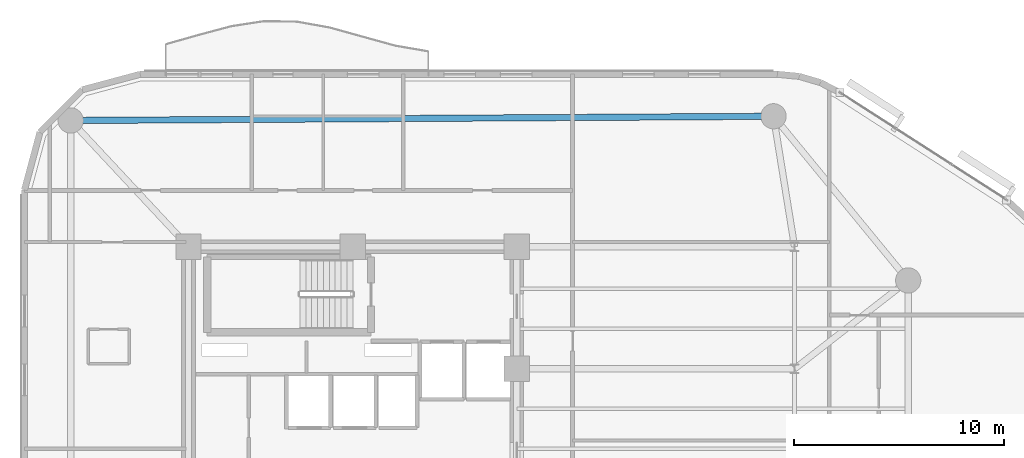
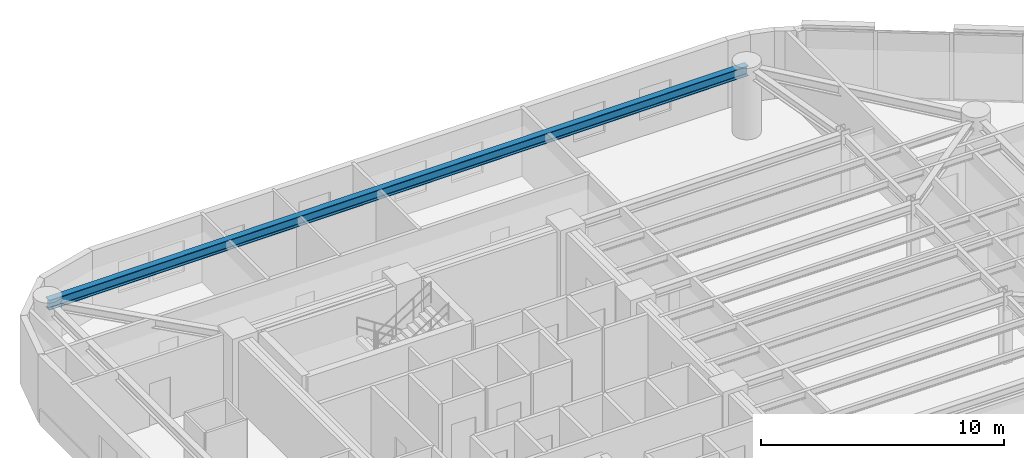
# One storey, part 7 of 15: 1 beam.
"""IFC4 building model written with IfcOpenShell, lengths in metres."""

from ifc_helpers import new_model, si_unit, direction, frame, origin, origin_2d, place, context, subcontext, project, spatial, i_section, extrude, material, material_profile, profile_set, type_object, element, save


model = new_model("IFC4")

# Units and contexts
model_context = context("Model", 3, precision=1e-05, world=origin(), true_north=direction((0.0, 1.0)))
body_context = subcontext(model_context, "Body", "Model", "MODEL_VIEW")
ifc_project = project(units=[si_unit("LENGTHUNIT", "METRE"), si_unit("AREAUNIT", "SQUARE_METRE"), si_unit("VOLUMEUNIT", "CUBIC_METRE"), si_unit("PLANEANGLEUNIT", "RADIAN"), si_unit("MASSUNIT", "GRAM", prefix="KILO")], contexts=[model_context])

# Site, building, storey
site_placement = place(None, origin())
site = spatial("IfcSite", under=ifc_project, at=site_placement, CompositionType="ELEMENT")
building_placement = place(site_placement, origin())
building = spatial("IfcBuilding", under=site, at=building_placement, Name="An Khanh Terracotta Commons", CompositionType="ELEMENT")
storey_placement = place(building_placement, frame((0.0, 0.0, 169.0)))
storey = spatial("IfcBuildingStorey", under=building, at=storey_placement, Name="L44", CompositionType="ELEMENT", Elevation=169.0)

# Beam
ifc_material = material(Name="Steel S355J2", Category="steel")
ifc_material_profile = material_profile(ifc_material, i_section(OverallWidth=0.300048828125, OverallDepth=0.5, WebThickness=0.014404296875, FlangeThickness=0.028076171875, FilletRadius=0.027099609375, at=origin_2d()), Name="HEB500")
ifc_profile_set = profile_set([ifc_material_profile], Name="Steel S355J2")
beam_type = type_object("IfcBeamType", Name="BM-HEB500", PredefinedType="BEAM", material=ifc_profile_set)
beam_placement = place(storey_placement, frame((49.39990234375, 39.800048828125, 3.14990234375), z_axis=(-0.999982080914, -0.005986472262, 0.0), x_axis=(0.005986472262, -0.999982080914, 0.0)))
element("IfcBeam", 1, at=beam_placement, inside=storey, type_object=beam_type, Name="L44 Perimeter Ring Spandrel 5", PredefinedType="BEAM", context=body_context, shape_type="SweptSolid", body=[
    extrude(i_section(OverallWidth=0.300048828125, OverallDepth=0.5, WebThickness=0.014404296875, FlangeThickness=0.028076171875, FilletRadius=0.027099609375, at=origin_2d()), origin(), (0.0, 0.0, 1.0), 33.400390625),
])

save(model, "model.ifc")
